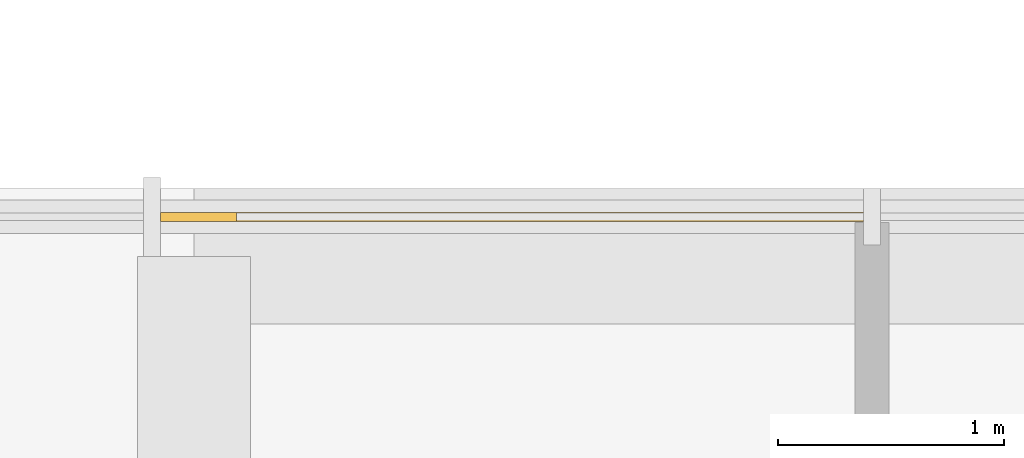
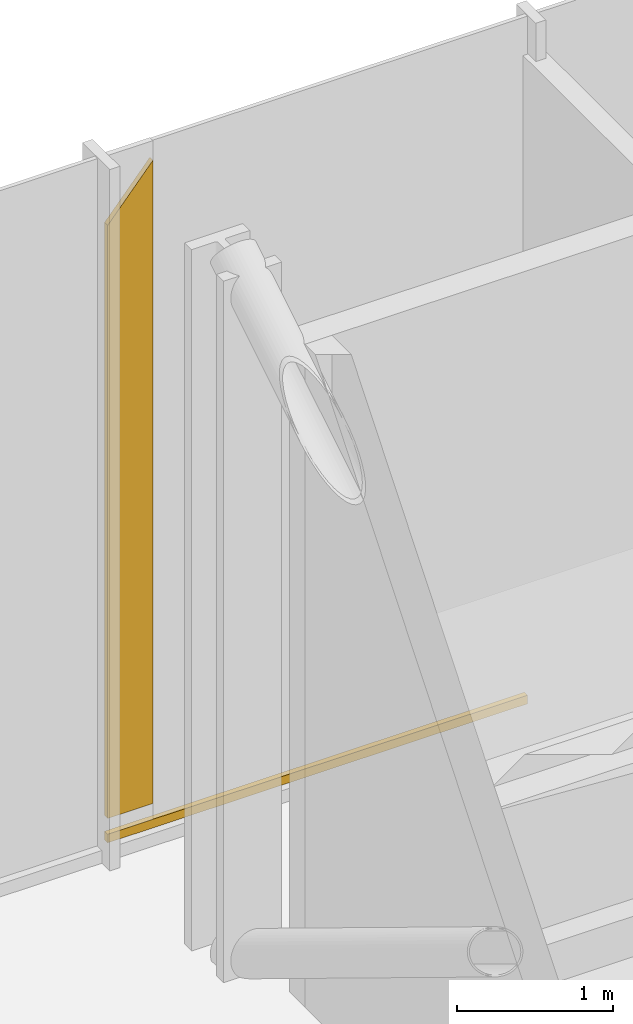
# One storey, part 22 of 25: 2 coverings.
"""IFC4 building model written with IfcOpenShell, lengths in metres."""

import ifcopenshell
import ifcopenshell.guid

model = None  # the IFC model being written
_history = None  # IfcOwnerHistory: only IFC2X3 demands one
_inside = {}  # id of a spatial element -> (the spatial element, [elements in it])
_under = {}  # id of a project, library or spatial element -> (it, [spatial elements below it])
_declared = {}  # id of a project -> (the project, [libraries it declares])
_typed = {}  # id of a type object -> (the type object, [elements of that type])
_made_of = {}  # id of a material, layer set ... -> (it, [elements and type objects made of it])


def new_model(schema):
    """Start an empty IFC model of exactly this schema.

    Asked for "IFC4X3", IfcOpenShell would pick the latest addendum, in which some entities
    have other attributes; the version numbers below select the first issue.
    IFC2X3 requires an IfcOwnerHistory on every rooted entity: one is made here for all.
    """
    global model, _history
    if schema == "IFC4X3":
        model = ifcopenshell.file(schema_version=(4, 3, 0, 0))
    else:
        model = ifcopenshell.file(schema=schema)
    _inside.clear()
    _under.clear()
    _declared.clear()
    _typed.clear()
    _made_of.clear()
    _history = None
    if model.schema == "IFC2X3":
        org = make("IfcOrganization", Name="unknown")
        user = make(
            "IfcPersonAndOrganization",
            ThePerson=make("IfcPerson", FamilyName="unknown"),
            TheOrganization=org,
        )
        app = make(
            "IfcApplication",
            ApplicationDeveloper=org,
            Version="unknown",
            ApplicationFullName="unknown",
            ApplicationIdentifier="unknown",
        )
        _history = make(
            "IfcOwnerHistory",
            OwningUser=user,
            OwningApplication=app,
            ChangeAction="ADDED",
            CreationDate=0,
        )
    return model


def make(cls, **values):
    """One entity of the class cls with the attributes given. An attribute that is None is left unset."""
    return model.create_entity(
        cls, **{name: value for name, value in values.items() if value is not None}
    )


def rooted(cls, **values):
    """An entity with a GlobalId (a new one), such as an element, a storey or a relation."""
    return make(cls, GlobalId=ifcopenshell.guid.new(), OwnerHistory=_history, **values)


def si_unit(unit_type, name, prefix=None):
    """IfcSIUnit, for example si_unit("LENGTHUNIT", "METRE", prefix="MILLI")."""
    return make("IfcSIUnit", UnitType=unit_type, Prefix=prefix, Name=name)


def assignment(units):
    """IfcUnitAssignment: the units of a project."""
    return None if units is None else make("IfcUnitAssignment", Units=units)


def point(xyz):
    """IfcCartesianPoint."""
    return None if xyz is None else make("IfcCartesianPoint", Coordinates=xyz)


def direction(xyz):
    """IfcDirection."""
    return None if xyz is None else make("IfcDirection", DirectionRatios=xyz)


def frame(location, z_axis=None, x_axis=None):
    """IfcAxis2Placement3D, a coordinate frame: its origin and axes. An axis left out is left unset."""
    return make(
        "IfcAxis2Placement3D",
        Location=point(location),
        Axis=direction(z_axis),
        RefDirection=direction(x_axis),
    )


def origin():
    """The frame at (0, 0, 0) with its axes left unset."""
    return frame((0.0, 0.0, 0.0))


def place(relative_to, where):
    """IfcLocalPlacement: puts the frame where relative to a parent placement (None: the world)."""
    return make(
        "IfcLocalPlacement", PlacementRelTo=relative_to, RelativePlacement=where
    )


def context(
    kind, dimensions, precision=None, world=None, true_north=None, identifier=None
):
    """IfcGeometricRepresentationContext, for example the 3D "Model" context."""
    return make(
        "IfcGeometricRepresentationContext",
        ContextIdentifier=identifier,
        ContextType=kind,
        CoordinateSpaceDimension=dimensions,
        Precision=precision,
        WorldCoordinateSystem=world,
        TrueNorth=true_north,
    )


def subcontext(parent, identifier, kind, view, scale=None):
    """IfcGeometricRepresentationSubContext, for example "Body" below "Model"."""
    return make(
        "IfcGeometricRepresentationSubContext",
        ContextIdentifier=identifier,
        ContextType=kind,
        ParentContext=parent,
        TargetScale=scale,
        TargetView=view,
    )


def project(units=None, contexts=None):
    """IfcProject with its units and contexts."""
    return rooted(
        "IfcProject",
        Name="project",
        RepresentationContexts=contexts,
        UnitsInContext=assignment(units),
    )


def spatial(cls, under=None, at=None, **own):
    """A site, building, storey or space (cls), placed at a placement, below another one or the project."""
    s = rooted(cls, ObjectPlacement=at, **own)
    if under is not None:
        _under.setdefault(under.id(), (under, []))[1].append(s)
    return s


def polyline(points):
    """IfcPolyline through the points."""
    return make("IfcPolyline", Points=[point(p) for p in points])


def outline(outer, holes=None, kind="AREA"):
    """IfcArbitraryClosedProfileDef: a profile drawn as a closed curve; with holes, ...WithVoids."""
    if holes is None:
        return make("IfcArbitraryClosedProfileDef", ProfileType=kind, OuterCurve=outer)
    return make(
        "IfcArbitraryProfileDefWithVoids",
        ProfileType=kind,
        OuterCurve=outer,
        InnerCurves=holes,
    )


def extrude(swept, where, along, depth):
    """IfcExtrudedAreaSolid: the profile swept, set in the frame where, extruded along a direction by depth."""
    return make(
        "IfcExtrudedAreaSolid",
        SweptArea=swept,
        Position=where,
        ExtrudedDirection=direction(along),
        Depth=depth,
    )


def shape(context_of_items, identifier, shape_type, items):
    """IfcShapeRepresentation: the items that make up one representation, for example the "Body"."""
    return make(
        "IfcShapeRepresentation",
        ContextOfItems=context_of_items,
        RepresentationIdentifier=identifier,
        RepresentationType=shape_type,
        Items=items,
    )


def material(Name=None, Category=None):
    """IfcMaterial."""
    return make("IfcMaterial", Name=Name, Category=Category)


def layer(
    of_material, thickness, ventilated=None, Name=None, Category=None, Priority=None
):
    """IfcMaterialLayer: one layer of a wall or slab, of a material (None: an air gap)."""
    return make(
        "IfcMaterialLayer",
        Material=of_material,
        LayerThickness=thickness,
        IsVentilated=ventilated,
        Name=Name,
        Category=Category,
        Priority=Priority,
    )


def layer_set(layers, Name=None):
    """IfcMaterialLayerSet."""
    return make("IfcMaterialLayerSet", MaterialLayers=layers, LayerSetName=Name)


def made_of(thing, what):
    """Note that an element or type object is made of a material, layer set ...; save() writes the relation."""
    if what is not None:
        _made_of.setdefault(what.id(), (what, []))[1].append(thing)
    return thing


def type_object(cls, material=None, **own):
    """A type object (cls), such as IfcWallType, which elements share."""
    return made_of(rooted(cls, **own), material)


def element(
    cls,
    number,
    at=None,
    inside=None,
    cuts=None,
    type_object=None,
    material=None,
    context=None,
    identifier="Body",
    shape_type=None,
    held_by="IfcProductDefinitionShape",
    body=None,
    shapes=None,
    **own,
):
    """One element of the class cls, such as IfcWall. Its Tag is "e" and its number.

    at: its placement. inside: the storey or other place that contains it. cuts: it is an
    opening in that element (IfcRelVoidsElement). A single representation is given by context,
    identifier, shape_type and body (its items); several are given by shapes. held_by: the class
    of the entity that holds the representations. save() writes the other relations.
    """
    e = rooted(cls, Tag="e%d" % number, ObjectPlacement=at, **own)
    if body is not None:
        shapes = [shape(context, identifier, shape_type, body)]
    if shapes is not None:
        e.Representation = make(held_by, Representations=shapes)
    if inside is not None:
        _inside.setdefault(inside.id(), (inside, []))[1].append(e)
    if cuts is not None:
        rooted(
            "IfcRelVoidsElement", RelatingBuildingElement=cuts, RelatedOpeningElement=e
        )
    if type_object is not None:
        _typed.setdefault(type_object.id(), (type_object, []))[1].append(e)
    return made_of(e, material)


def aggregate(whole, parts):
    """IfcRelAggregates: a whole, such as a stair, and the parts it consists of."""
    return rooted("IfcRelAggregates", RelatingObject=whole, RelatedObjects=parts)


def save(model, path):
    """Write the relations noted so far, then the file.

    IfcRelAggregates (storeys below a building ...), IfcRelContainedInSpatialStructure (elements
    in a storey), IfcRelDefinesByType, IfcRelAssociatesMaterial and IfcRelDeclares: one each for
    every whole, place, type object, material and project.
    """
    for whole, parts in _under.values():
        aggregate(whole, parts)
    for where, things in _inside.values():
        rooted(
            "IfcRelContainedInSpatialStructure",
            RelatedElements=things,
            RelatingStructure=where,
        )
    for kind, things in _typed.values():
        rooted("IfcRelDefinesByType", RelatedObjects=things, RelatingType=kind)
    for what, things in _made_of.values():
        rooted("IfcRelAssociatesMaterial", RelatedObjects=things, RelatingMaterial=what)
    for by, libraries in _declared.values():
        rooted("IfcRelDeclares", RelatingContext=by, RelatedDefinitions=libraries)
    model.write(path)


model = new_model("IFC4")

# Units and contexts
model_context = context("Model", 3, precision=1e-05, world=origin(), true_north=direction((0.0, 1.0)))
body_context = subcontext(model_context, "Body", "Model", "MODEL_VIEW")
ifc_project = project(units=[si_unit("LENGTHUNIT", "METRE"), si_unit("AREAUNIT", "SQUARE_METRE"), si_unit("VOLUMEUNIT", "CUBIC_METRE"), si_unit("PLANEANGLEUNIT", "RADIAN"), si_unit("MASSUNIT", "GRAM", prefix="KILO")], contexts=[model_context])

# Site, building, storey
site_placement = place(None, origin())
site = spatial("IfcSite", under=ifc_project, at=site_placement, CompositionType="ELEMENT")
building_placement = place(site_placement, origin())
building = spatial("IfcBuilding", under=site, at=building_placement, Name="Malebo Sky Hospital", CompositionType="ELEMENT")
storey_placement = place(building_placement, frame((0.0, 0.0, 11.0)))
storey = spatial("IfcBuildingStorey", under=building, at=storey_placement, Name="L02", CompositionType="ELEMENT", Elevation=11.0)

# Coverings
ifc_material = material(Name="Anodised aluminium, natural silver insulated infill panel", Category="aluminium")
ifc_layer = layer(ifc_material, 0.0400390625)
ifc_layer_set = layer_set([ifc_layer], Name="BRACE INFILL PANEL 40")
covering_type = type_object("IfcCoveringType", Name="BRACE INFILL PANEL 40", PredefinedType="CLADDING", material=ifc_layer_set)
covering_1_placement = place(storey_placement, frame((15.51953125, 85.875, 0.291748046875), z_axis=(0.0, 0.0, 1.0), x_axis=(-1.0, 0.0, 0.0)))
element("IfcCovering", 1, at=covering_1_placement, inside=storey, type_object=covering_type, Name="Brace infill panel 6.1", PredefinedType="CLADDING", context=body_context, shape_type="SweptSolid", body=[
    extrude(outline(polyline([(-0.167724609375, 0.0), (0.16796875, 0.0), (0.16796875, 4.650390625), (-0.167724609375, 5.0439453125), (-0.167724609375, 0.0)])), frame((0.0, 0.02001953125, 0.0), z_axis=(0.0, -1.0, 0.0), x_axis=(1.0, 0.0, 0.0)), (0.0, 0.0, 1.0), 0.0400390625),
])
covering_2_placement = place(storey_placement, frame((16.908935546875, 85.875, 0.10009765625), z_axis=(0.0, 0.0, 1.0), x_axis=(-1.0, 0.0, 0.0)))
element("IfcCovering", 2, at=covering_2_placement, inside=storey, type_object=covering_type, Name="Brace infill panel 6.2", PredefinedType="CLADDING", context=body_context, shape_type="SweptSolid", body=[
    extrude(outline(polyline([(-1.55712890625, 0.0), (1.55712890625, 0.0), (1.55712890625, 0.067138671875), (-1.55712890625, 0.067138671875), (-1.55712890625, 0.0)])), frame((0.0, 0.02001953125, 0.0), z_axis=(0.0, -1.0, 0.0), x_axis=(1.0, 0.0, 0.0)), (0.0, 0.0, 1.0), 0.0400390625),
])

save(model, "model.ifc")
